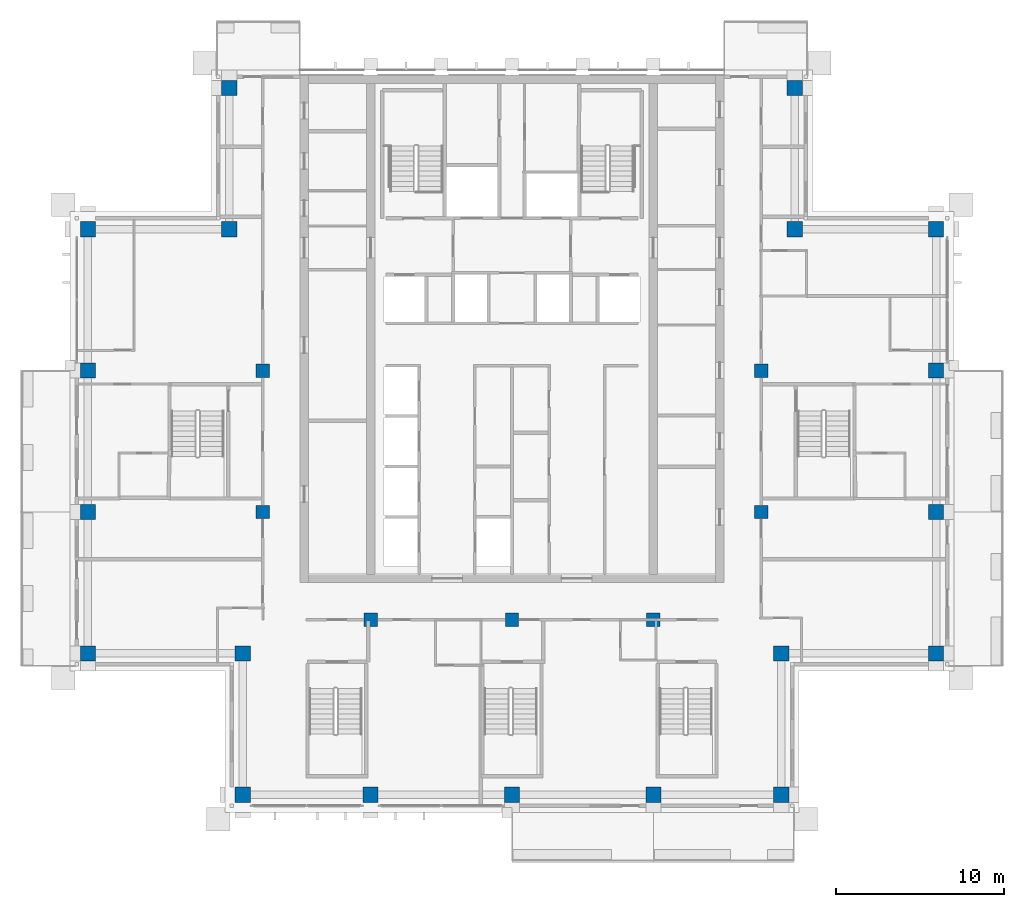
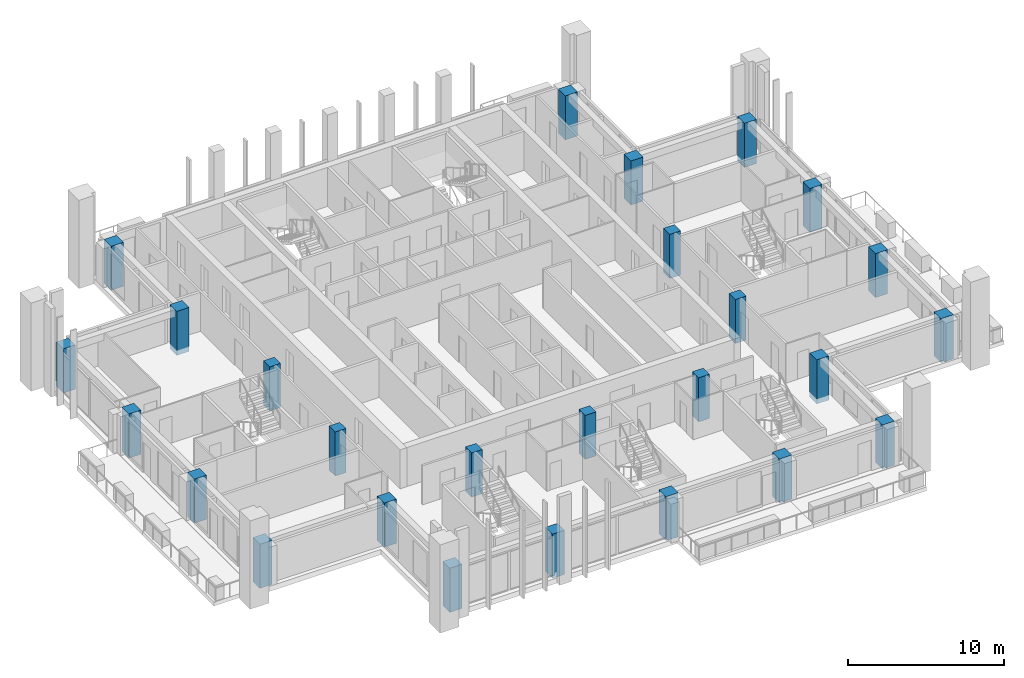
# One storey, part 1 of 18: 26 columns.
"""IFC4 building model written with IfcOpenShell, lengths in metres."""

from ifc_helpers import new_model, si_unit, direction, frame, origin, origin_2d, place, context, subcontext, project, spatial, rectangle, extrude, material, material_profile, profile_set, type_object, element, save


model = new_model("IFC4")

# Units and contexts
model_context = context("Model", 3, precision=1e-05, world=origin(), true_north=direction((0.0, 1.0)))
body_context = subcontext(model_context, "Body", "Model", "MODEL_VIEW")
ifc_project = project(units=[si_unit("LENGTHUNIT", "METRE"), si_unit("AREAUNIT", "SQUARE_METRE"), si_unit("VOLUMEUNIT", "CUBIC_METRE"), si_unit("PLANEANGLEUNIT", "RADIAN"), si_unit("MASSUNIT", "GRAM", prefix="KILO")], contexts=[model_context])

# Site, building, storey
site_placement = place(None, origin())
site = spatial("IfcSite", under=ifc_project, at=site_placement, CompositionType="ELEMENT")
building_placement = place(site_placement, origin())
building = spatial("IfcBuilding", under=site, at=building_placement, Name="Vermilion Ogive Tower", CompositionType="ELEMENT")
storey_placement = place(building_placement, frame((0.0, 0.0, 240.699951171875)))
storey = spatial("IfcBuildingStorey", under=building, at=storey_placement, Name="L63", CompositionType="ELEMENT", Elevation=240.699951171875)

# Columns
ifc_material_1 = material(Name="Concrete B60", Category="concrete")
ifc_material_profile_1 = material_profile(ifc_material_1, rectangle(XDim=0.89990234375, YDim=0.89990234375, at=origin_2d()), Name="900 x 900")
ifc_profile_set_1 = profile_set([ifc_material_profile_1], Name="Concrete B60")
column_type_1 = type_object("IfcColumnType", Name="Perimeter column 900 x 900 B60", PredefinedType="COLUMN", material=ifc_profile_set_1)
for number, where, z_axis, x_axis, name in (
    (1, (-16.0, -21.0, -0.39990234375), (0.0, 0.0, 1.0), (1.0, 0.0, 0.0), "COL-L63-P-0160-210"),
    (2, (-8.39990234375, -21.0, -0.39990234375), (0.0, 0.0, 1.0), (1.0, 0.0, 0.0), "COL-L63-P-0084-210"),
    (3, (0.0, -21.0, -0.39990234375), (0.0, 0.0, 1.0), (1.0, 0.0, 0.0), "COL-L63-P+0000-210"),
    (4, (8.39990234375, -21.0, -0.39990234375), (0.0, 0.0, 1.0), (1.0, 0.0, 0.0), "COL-L63-P+0084-210"),
    (5, (16.0, -21.0, -0.39990234375), (0.0, 0.0, 1.0), (1.0, 0.0, 0.0), "COL-L63-P+0160-210"),
    (6, (-25.199951171875, -12.60009765625, -0.39990234375), (0.0, 0.0, 1.0), (1.0, 0.0, 0.0), "COL-L63-P-0252-126"),
    (7, (-16.0, -12.60009765625, -0.39990234375), (0.0, 0.0, 1.0), (1.0, 0.0, 0.0), "COL-L63-P-0160-126"),
    (8, (16.0, -12.60009765625, -0.39990234375), (0.0, 0.0, 1.0), (1.0, 0.0, 0.0), "COL-L63-P+0160-126"),
    (9, (25.199951171875, -12.60009765625, -0.39990234375), (0.0, 0.0, 1.0), (1.0, 0.0, 0.0), "COL-L63-P+0252-126"),
    (10, (-25.199951171875, -4.199951171875, -0.39990234375), (0.0, 0.0, 1.0), (1.0, 0.0, 0.0), "COL-L63-P-0252-042"),
    (11, (25.199951171875, -4.199951171875, -0.39990234375), (0.0, 0.0, 1.0), (1.0, 0.0, 0.0), "COL-L63-P+0252-042"),
    (12, (-25.199951171875, 4.199951171875, -0.39990234375), (0.0, 0.0, 1.0), (1.0, 0.0, 0.0), "COL-L63-P-0252+042"),
    (13, (25.199951171875, 4.199951171875, -0.39990234375), (0.0, 0.0, 1.0), (1.0, 0.0, 0.0), "COL-L63-P+0252+042"),
    (14, (-25.199951171875, 12.60009765625, -0.39990234375), (0.0, 0.0, 1.0), (1.0, 0.0, 0.0), "COL-L63-P-0252+126"),
    (15, (-16.800048828125, 12.60009765625, -0.39990234375), (0.0, 0.0, 1.0), (1.0, 0.0, 0.0), "COL-L63-P-0168+126"),
    (16, (16.800048828125, 12.60009765625, -0.39990234375), (0.0, 0.0, 1.0), (1.0, 0.0, 0.0), "COL-L63-P+0168+126"),
    (17, (25.199951171875, 12.60009765625, -0.39990234375), (0.0, 0.0, 1.0), (1.0, 0.0, 0.0), "COL-L63-P+0252+126"),
    (18, (-16.800048828125, 21.0, -0.39990234375), (0.0, 0.0, 1.0), (1.0, 0.0, 0.0), "COL-L63-P-0168+210"),
    (19, (16.800048828125, 21.0, -0.39990234375), (0.0, 0.0, 1.0), (1.0, 0.0, 0.0), "COL-L63-P+0168+210"),
):
    element("IfcColumn", number, at=place(storey_placement, frame(where, z_axis=z_axis, x_axis=x_axis)), inside=storey, type_object=column_type_1, Name=name, PredefinedType="COLUMN", context=body_context, shape_type="SweptSolid", body=[
        extrude(rectangle(XDim=0.89990234375, YDim=0.89990234375, at=origin_2d()), origin(), (0.0, 0.0, 1.0), 3.449951171875),
    ])
ifc_material_2 = material(Name="Concrete B60", Category="concrete")
ifc_material_profile_2 = material_profile(ifc_material_2, rectangle(XDim=0.800048828125, YDim=0.800048828125, at=origin_2d()), Name="800 x 800")
ifc_profile_set_2 = profile_set([ifc_material_profile_2], Name="Concrete B60")
column_type_2 = type_object("IfcColumnType", Name="Ring column 800 x 800 B60", PredefinedType="COLUMN", material=ifc_profile_set_2)
for number, where, z_axis, x_axis, name in (
    (20, (-8.39990234375, -10.60009765625, -0.39990234375), (0.0, 0.0, 1.0), (1.0, 0.0, 0.0), "COL-L63-R-0084-106"),
    (21, (0.0, -10.60009765625, -0.39990234375), (0.0, 0.0, 1.0), (1.0, 0.0, 0.0), "COL-L63-R+0000-106"),
    (22, (8.39990234375, -10.60009765625, -0.39990234375), (0.0, 0.0, 1.0), (1.0, 0.0, 0.0), "COL-L63-R+0084-106"),
    (23, (-14.800048828125, -4.199951171875, -0.39990234375), (0.0, 0.0, 1.0), (1.0, 0.0, 0.0), "COL-L63-R-0148-042"),
    (24, (14.800048828125, -4.199951171875, -0.39990234375), (0.0, 0.0, 1.0), (1.0, 0.0, 0.0), "COL-L63-R+0148-042"),
    (25, (-14.800048828125, 4.199951171875, -0.39990234375), (0.0, 0.0, 1.0), (1.0, 0.0, 0.0), "COL-L63-R-0148+042"),
    (26, (14.800048828125, 4.199951171875, -0.39990234375), (0.0, 0.0, 1.0), (1.0, 0.0, 0.0), "COL-L63-R+0148+042"),
):
    element("IfcColumn", number, at=place(storey_placement, frame(where, z_axis=z_axis, x_axis=x_axis)), inside=storey, type_object=column_type_2, Name=name, PredefinedType="COLUMN", context=body_context, shape_type="SweptSolid", body=[
        extrude(rectangle(XDim=0.800048828125, YDim=0.800048828125, at=origin_2d()), origin(), (0.0, 0.0, 1.0), 3.449951171875),
    ])

save(model, "model.ifc")
